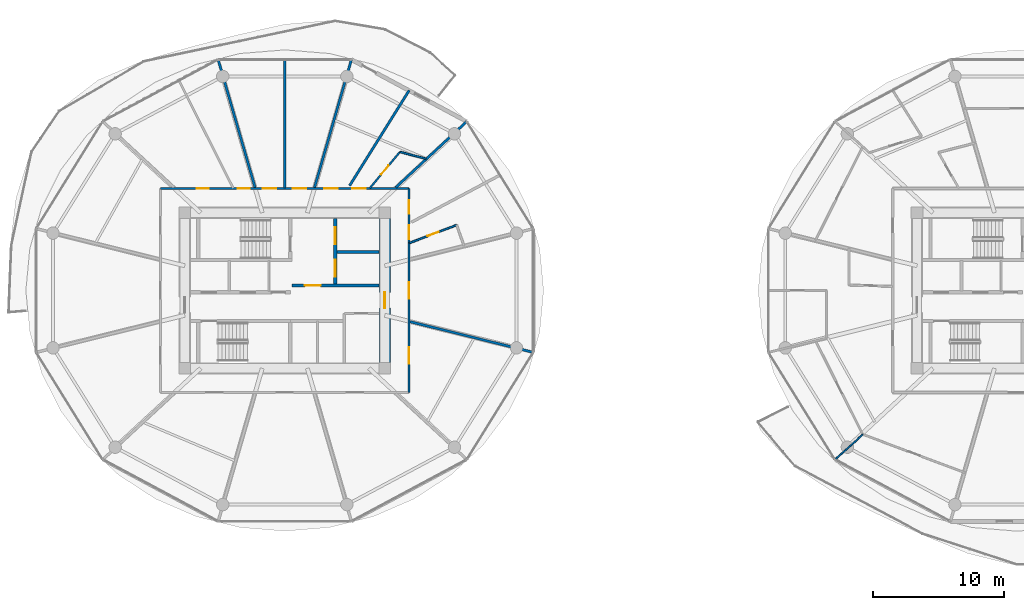
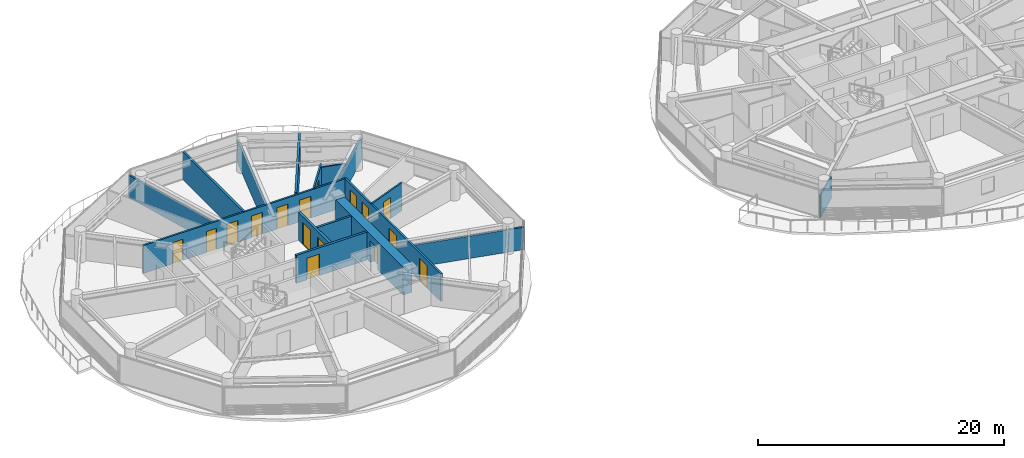
# One storey, part 16 of 25: 16 doors, 16 walls, 16 openings.
"""IFC4 building model written with IfcOpenShell, lengths in metres."""

from ifc_helpers import new_model, si_unit, direction, frame, frame_2d, origin, place, context, subcontext, project, spatial, rectangle, extrude, source, transform, mapped, material, layer, layer_set, type_object, type_shapes, element, fill, save


model = new_model("IFC4")

# Units and contexts
model_context = context("Model", 3, precision=1e-05, world=origin(), true_north=direction((0.0, 1.0)))
body_context = subcontext(model_context, "Body", "Model", "MODEL_VIEW")
ifc_project = project(units=[si_unit("LENGTHUNIT", "METRE"), si_unit("AREAUNIT", "SQUARE_METRE"), si_unit("VOLUMEUNIT", "CUBIC_METRE"), si_unit("PLANEANGLEUNIT", "RADIAN"), si_unit("MASSUNIT", "GRAM", prefix="KILO")], contexts=[model_context])

# Site, building, storey
site_placement = place(None, origin())
site = spatial("IfcSite", under=ifc_project, at=site_placement, CompositionType="ELEMENT")
building_placement = place(site_placement, origin())
building = spatial("IfcBuilding", under=site, at=building_placement, Name="Norrkilde Senior Care Towers", CompositionType="ELEMENT")
storey_placement = place(building_placement, frame((0.0, 0.0, 27.699951171875)))
storey = spatial("IfcBuildingStorey", under=building, at=storey_placement, Name="L07", CompositionType="ELEMENT", Elevation=27.699951171875)

# Wall, opening, door
ifc_material_1 = material(Name="Concrete C60/75", Category="concrete")
ifc_layer_1 = layer(ifc_material_1, 0.85009765625)
ifc_layer_set_1 = layer_set([ifc_layer_1], Name="Concrete C60/75")
wall_type_1 = type_object("IfcWallType", Name="Core Shear Wall Z1 850", PredefinedType="SHEAR", material=ifc_layer_set_1)
shared_shape_1 = source(origin(), body_context, "Body", "SweptSolid", [
    extrude(rectangle(XDim=11.0, YDim=0.85009765625, at=frame_2d((5.5, 0.0))), origin(), (0.0, 0.0, 1.0), 2.7900390625),
])
type_shapes(wall_type_1, [shared_shape_1])
wall_1_placement = place(storey_placement, frame((-20.35009765625, 5.5, 0.0), z_axis=(0.0, 0.0, 1.0), x_axis=(0.0, -1.0, 0.0)))
wall_1 = element("IfcWall", 1, at=wall_1_placement, inside=storey, type_object=wall_type_1, Name="L07 Core W East Shear Wall", PredefinedType="SHEAR", context=body_context, shape_type="MappedRepresentation", body=[
    mapped(shared_shape_1, transform((0.0, 0.0, 0.0), x_axis=(1.0, 0.0, 0.0), y_axis=(0.0, 1.0, 0.0), z_axis=(0.0, 0.0, 1.0), scale=1.0)),
])
opening_1_placement = place(wall_1_placement, frame((5.64990234375, 0.0, 0.0)))
opening_1 = element("IfcOpeningElement", 2, at=opening_1_placement, cuts=wall_1, Name="Opening D-04", PredefinedType="OPENING", context=body_context, shape_type="SweptSolid", body=[
    extrude(rectangle(XDim=1.199951171875, YDim=2.14990234375, at=frame_2d((0.60009765625, 1.074951171875))), frame((0.0, 0.43505859375, 0.0), z_axis=(0.0, -1.0, 0.0), x_axis=(1.0, 0.0, 0.0)), (0.0, 0.0, 1.0), 0.8701171875),
])
ifc_material_2 = material(Name="Galvanised Painted Steel", Category="steel")
door_type_1 = type_object("IfcDoorType", Name="Firefighting Lobby Fire Door 1200x2150", OperationType="NOTDEFINED", PredefinedType="DOOR", material=ifc_material_2)
shared_shape_2 = source(origin(), body_context, "Body", "SweptSolid", [
    extrude(rectangle(XDim=1.199951171875, YDim=2.14990234375, at=frame_2d((0.60009765625, 1.074951171875))), frame((0.0, 0.02490234375, 0.0), z_axis=(0.0, -1.0, 0.0), x_axis=(1.0, 0.0, 0.0)), (0.0, 0.0, 1.0), 0.050048828125),
])
type_shapes(door_type_1, [shared_shape_2])
door_1_placement = place(opening_1_placement, frame((1.199951171875, 0.0, 0.0), z_axis=(0.0, 0.0, 1.0), x_axis=(-1.0, 0.0, 0.0)))
door_1 = element("IfcDoor", 3, at=door_1_placement, inside=storey, type_object=door_type_1, Name="L07 Core W East Portal Door", OperationType="SINGLE_SWING_RIGHT", OverallHeight=2.14990234375, OverallWidth=1.199951171875, PredefinedType="DOOR", context=body_context, shape_type="MappedRepresentation", body=[
    mapped(shared_shape_2, transform((0.0, 0.0, 0.0), x_axis=(1.0, 0.0, 0.0), y_axis=(0.0, 1.0, 0.0), z_axis=(0.0, 0.0, 1.0), scale=1.0)),
])
fill(opening_1, door_1)

# Wall, openings, doors
ifc_material_3 = material(Name="Concrete C45/55", Category="concrete")
ifc_layer_2 = layer(ifc_material_3, 0.239990234375)
ifc_layer_set_2 = layer_set([ifc_layer_2], Name="Concrete C45/55")
wall_type_2 = type_object("IfcWallType", Name="Lift and Plant Rated Enclosure Partition 240", PredefinedType="PARTITIONING", material=ifc_layer_set_2)
shared_shape_3 = source(origin(), body_context, "Body", "SweptSolid", [
    extrude(rectangle(XDim=5.0, YDim=0.239990234375, at=frame_2d((2.5, 0.0))), origin(), (0.0, 0.0, 1.0), 2.775146484375),
])
type_shapes(wall_type_2, [shared_shape_3])
wall_2_placement = place(storey_placement, frame((-24.139892578125, 0.5, 0.0), z_axis=(0.0, 0.0, 1.0), x_axis=(0.0, 1.0, 0.0)))
wall_2 = element("IfcWall", 4, at=wall_2_placement, inside=storey, type_object=wall_type_2, Name="WL-INT-L07-W-FFLE", PredefinedType="PARTITIONING", context=body_context, shape_type="MappedRepresentation", body=[
    mapped(shared_shape_3, transform((0.0, 0.0, 0.0), x_axis=(1.0, 0.0, 0.0), y_axis=(0.0, 1.0, 0.0), z_axis=(0.0, 0.0, 1.0), scale=1.0)),
])
opening_2_placement = place(wall_2_placement, frame((3.050048828125, 0.0, 0.0)))
opening_2 = element("IfcOpeningElement", 5, at=opening_2_placement, cuts=wall_2, Name="Opening LD-02", PredefinedType="OPENING", context=body_context, shape_type="SweptSolid", body=[
    extrude(rectangle(XDim=1.300048828125, YDim=2.199951171875, at=frame_2d((0.64990234375, 1.10009765625))), frame((0.0, 0.1298828125, 0.0), z_axis=(0.0, -1.0, 0.0), x_axis=(1.0, 0.0, 0.0)), (0.0, 0.0, 1.0), 0.260009765625),
])
opening_3_placement = place(wall_2_placement, frame((0.550048828125, 0.0, 0.0)))
opening_3 = element("IfcOpeningElement", 6, at=opening_3_placement, cuts=wall_2, Name="Opening LD-02", PredefinedType="OPENING", context=body_context, shape_type="SweptSolid", body=[
    extrude(rectangle(XDim=1.300048828125, YDim=2.199951171875, at=frame_2d((0.64990234375, 1.10009765625))), frame((0.0, 0.1298828125, 0.0), z_axis=(0.0, -1.0, 0.0), x_axis=(1.0, 0.0, 0.0)), (0.0, 0.0, 1.0), 0.260009765625),
])
ifc_material_4 = material(Name="Stainless Steel", Category="steel")
door_type_2 = type_object("IfcDoorType", Name="Stretcher and FFL Landing Sliding Door 1300x2200", OperationType="NOTDEFINED", PredefinedType="DOOR", material=ifc_material_4)
shared_shape_4 = source(origin(), body_context, "Body", "SweptSolid", [
    extrude(rectangle(XDim=1.300048828125, YDim=2.199951171875, at=frame_2d((0.64990234375, 1.10009765625))), frame((0.0, 0.02490234375, 0.0), z_axis=(0.0, -1.0, 0.0), x_axis=(1.0, 0.0, 0.0)), (0.0, 0.0, 1.0), 0.050048828125),
])
type_shapes(door_type_2, [shared_shape_4])
door_2_placement = place(opening_2_placement, origin())
door_2 = element("IfcDoor", 7, at=door_2_placement, inside=storey, type_object=door_type_2, Name="L07 Firefighting Lift W1 Landing Door", OperationType="SLIDING_TO_LEFT", OverallHeight=2.199951171875, OverallWidth=1.300048828125, PredefinedType="DOOR", context=body_context, shape_type="MappedRepresentation", body=[
    mapped(shared_shape_4, transform((0.0, 0.0, 0.0), x_axis=(1.0, 0.0, 0.0), y_axis=(0.0, 1.0, 0.0), z_axis=(0.0, 0.0, 1.0), scale=1.0)),
])
fill(opening_2, door_2)
door_3_placement = place(opening_3_placement, origin())
door_3 = element("IfcDoor", 8, at=door_3_placement, inside=storey, type_object=door_type_2, Name="L07 Stretcher Lift W1 Landing Door", OperationType="SLIDING_TO_RIGHT", OverallHeight=2.199951171875, OverallWidth=1.300048828125, PredefinedType="DOOR", context=body_context, shape_type="MappedRepresentation", body=[
    mapped(shared_shape_4, transform((0.0, 0.0, 0.0), x_axis=(1.0, 0.0, 0.0), y_axis=(0.0, 1.0, 0.0), z_axis=(0.0, 0.0, 1.0), scale=1.0)),
])
fill(opening_3, door_3)

# Wall
ifc_layer_3 = layer(ifc_material_3, 0.199951171875)
ifc_layer_set_3 = layer_set([ifc_layer_3], Name="Concrete C45/55")
wall_type_3 = type_object("IfcWallType", Name="Shaft Division and Plant Partition 200", PredefinedType="PARTITIONING", material=ifc_layer_set_3)
shared_shape_5 = source(origin(), body_context, "Body", "SweptSolid", [
    extrude(rectangle(XDim=3.199951171875, YDim=0.199951171875, at=frame_2d((1.60009765625, 0.0))), origin(), (0.0, 0.0, 1.0), 2.775146484375),
])
type_shapes(wall_type_3, [shared_shape_5])
wall_3_placement = place(storey_placement, frame((-24.0, 2.949951171875, 0.0), z_axis=(0.0, 0.0, 1.0), x_axis=(1.0, 0.0, 0.0)))
element("IfcWall", 9, at=wall_3_placement, inside=storey, type_object=wall_type_3, Name="WL-INT-L07-W-FFLDIV", PredefinedType="PARTITIONING", context=body_context, shape_type="MappedRepresentation", body=[
    mapped(shared_shape_5, transform((0.0, 0.0, 0.0), x_axis=(1.0, 0.0, 0.0), y_axis=(0.0, 1.0, 0.0), z_axis=(0.0, 0.0, 1.0), scale=1.0)),
])

# Wall, opening, door
ifc_layer_4 = layer(ifc_material_3, 0.2099609375)
ifc_layer_set_4 = layer_set([ifc_layer_4], Name="Concrete C45/55")
wall_type_4 = type_object("IfcWallType", Name="Firefighting Lobby Wall 210", PredefinedType="PARTITIONING", material=ifc_layer_set_4)
shared_shape_6 = source(origin(), body_context, "Body", "SweptSolid", [
    extrude(rectangle(XDim=6.659912109375, YDim=0.2099609375, at=frame_2d((3.330078125, 0.0))), origin(), (0.0, 0.0, 1.0), 2.775146484375),
])
type_shapes(wall_type_4, [shared_shape_6])
wall_4_placement = place(storey_placement, frame((-27.4599609375, 0.389892578125, 0.0), z_axis=(0.0, 0.0, 1.0), x_axis=(1.0, 0.0, 0.0)))
wall_4 = element("IfcWall", 10, at=wall_4_placement, inside=storey, type_object=wall_type_4, Name="WL-INT-L07-W-FFLS", PredefinedType="PARTITIONING", context=body_context, shape_type="MappedRepresentation", body=[
    mapped(shared_shape_6, transform((0.0, 0.0, 0.0), x_axis=(1.0, 0.0, 0.0), y_axis=(0.0, 1.0, 0.0), z_axis=(0.0, 0.0, 1.0), scale=1.0)),
])
opening_4_placement = place(wall_4_placement, frame((1.0, 0.0, 0.0)))
opening_4 = element("IfcOpeningElement", 11, at=opening_4_placement, cuts=wall_4, Name="Opening D-04", PredefinedType="OPENING", context=body_context, shape_type="SweptSolid", body=[
    extrude(rectangle(XDim=1.199951171875, YDim=2.14990234375, at=frame_2d((0.60009765625, 1.074951171875))), frame((0.0, 0.114990234375, 0.0), z_axis=(0.0, -1.0, 0.0), x_axis=(1.0, 0.0, 0.0)), (0.0, 0.0, 1.0), 0.22998046875),
])
door_4_placement = place(opening_4_placement, frame((1.199951171875, 0.0, 0.0), z_axis=(0.0, 0.0, 1.0), x_axis=(-1.0, 0.0, 0.0)))
door_4 = element("IfcDoor", 12, at=door_4_placement, inside=storey, type_object=door_type_1, Name="L07 Firefighting Lobby W Door", OperationType="SINGLE_SWING_LEFT", OverallHeight=2.14990234375, OverallWidth=1.199951171875, PredefinedType="DOOR", context=body_context, shape_type="MappedRepresentation", body=[
    mapped(shared_shape_2, transform((0.0, 0.0, 0.0), x_axis=(1.0, 0.0, 0.0), y_axis=(0.0, 1.0, 0.0), z_axis=(0.0, 0.0, 1.0), scale=1.0)),
])
fill(opening_4, door_4)

# Wall, openings, doors
ifc_material_5 = material(Name="Gypsum Acoustic Board")
ifc_layer_5 = layer(ifc_material_5, 0.1650390625)
ifc_layer_set_5 = layer_set([ifc_layer_5], Name="Gypsum Acoustic Board")
wall_type_5 = type_object("IfcWallType", Name="Corridor Rated Partition 165", PredefinedType="PARTITIONING", material=ifc_layer_set_5)
shared_shape_7 = source(origin(), body_context, "Body", "SweptSolid", [
    extrude(rectangle(XDim=19.0, YDim=0.1650390625, at=frame_2d((9.5, 0.0))), origin(), (0.0, 0.0, 1.0), 2.775146484375),
])
wall_5_placement = place(storey_placement, frame((-37.5, 7.800048828125, 0.0), z_axis=(0.0, 0.0, 1.0), x_axis=(1.0, 0.0, 0.0)))
wall_5 = element("IfcWall", 13, at=wall_5_placement, inside=storey, type_object=wall_type_5, Name="WL-INT-L07-W-CRW-N-0", PredefinedType="PARTITIONING", context=body_context, shape_type="MappedRepresentation", body=[
    mapped(shared_shape_7, transform((0.0, 0.0, 0.0), x_axis=(1.0, 0.0, 0.0), y_axis=(0.0, 1.0, 0.0), z_axis=(0.0, 0.0, 1.0), scale=1.0)),
])
opening_5_placement = place(wall_5_placement, frame((14.6533203125, 0.0, 0.0)))
opening_5 = element("IfcOpeningElement", 14, at=opening_5_placement, cuts=wall_5, Name="Opening D-06", PredefinedType="OPENING", context=body_context, shape_type="SweptSolid", body=[
    extrude(rectangle(XDim=1.050048828125, YDim=2.14990234375, at=frame_2d((0.52490234375, 1.074951171875))), frame((0.0, 0.092529296875, 0.0), z_axis=(0.0, -1.0, 0.0), x_axis=(1.0, 0.0, 0.0)), (0.0, 0.0, 1.0), 0.18505859375),
])
opening_6_placement = place(wall_5_placement, frame((12.499755859375, 0.0, 0.0)))
opening_6 = element("IfcOpeningElement", 15, at=opening_6_placement, cuts=wall_5, Name="Opening D-06", PredefinedType="OPENING", context=body_context, shape_type="SweptSolid", body=[
    extrude(rectangle(XDim=1.050048828125, YDim=2.14990234375, at=frame_2d((0.52490234375, 1.074951171875))), frame((0.0, 0.092529296875, 0.0), z_axis=(0.0, -1.0, 0.0), x_axis=(1.0, 0.0, 0.0)), (0.0, 0.0, 1.0), 0.18505859375),
])
opening_7_placement = place(wall_5_placement, frame((10.103759765625, 0.0, 0.0)))
opening_7 = element("IfcOpeningElement", 16, at=opening_7_placement, cuts=wall_5, Name="Opening D-06", PredefinedType="OPENING", context=body_context, shape_type="SweptSolid", body=[
    extrude(rectangle(XDim=1.050048828125, YDim=2.14990234375, at=frame_2d((0.52490234375, 1.074951171875))), frame((0.0, 0.092529296875, 0.0), z_axis=(0.0, -1.0, 0.0), x_axis=(1.0, 0.0, 0.0)), (0.0, 0.0, 1.0), 0.18505859375),
])
opening_8_placement = place(wall_5_placement, frame((7.806396484375, 0.0, 0.0)))
opening_8 = element("IfcOpeningElement", 17, at=opening_8_placement, cuts=wall_5, Name="Opening D-06", PredefinedType="OPENING", context=body_context, shape_type="SweptSolid", body=[
    extrude(rectangle(XDim=1.050048828125, YDim=2.14990234375, at=frame_2d((0.52490234375, 1.074951171875))), frame((0.0, 0.092529296875, 0.0), z_axis=(0.0, -1.0, 0.0), x_axis=(1.0, 0.0, 0.0)), (0.0, 0.0, 1.0), 0.18505859375),
])
opening_9_placement = place(wall_5_placement, frame((5.915283203125, 0.0, 0.0)))
opening_9 = element("IfcOpeningElement", 18, at=opening_9_placement, cuts=wall_5, Name="Opening D-08", PredefinedType="OPENING", context=body_context, shape_type="SweptSolid", body=[
    extrude(rectangle(XDim=0.919921875, YDim=2.10009765625, at=frame_2d((0.4599609375, 1.050048828125))), frame((0.0, 0.092529296875, 0.0), z_axis=(0.0, -1.0, 0.0), x_axis=(1.0, 0.0, 0.0)), (0.0, 0.0, 1.0), 0.18505859375),
])
opening_10_placement = place(wall_5_placement, frame((2.76904296875, 0.0, 0.0)))
opening_10 = element("IfcOpeningElement", 19, at=opening_10_placement, cuts=wall_5, Name="Opening D-08", PredefinedType="OPENING", context=body_context, shape_type="SweptSolid", body=[
    extrude(rectangle(XDim=0.919921875, YDim=2.10009765625, at=frame_2d((0.4599609375, 1.050048828125))), frame((0.0, 0.092529296875, 0.0), z_axis=(0.0, -1.0, 0.0), x_axis=(1.0, 0.0, 0.0)), (0.0, 0.0, 1.0), 0.18505859375),
])
ifc_material_6 = material(Name="Nordic Ash Timber", Category="wood")
door_type_3 = type_object("IfcDoorType", Name="Accessible Wet Room Door 920x2100", OperationType="NOTDEFINED", PredefinedType="DOOR", material=ifc_material_6)
shared_shape_8 = source(origin(), body_context, "Body", "SweptSolid", [
    extrude(rectangle(XDim=0.919921875, YDim=2.10009765625, at=frame_2d((0.4599609375, 1.050048828125))), frame((0.0, 0.02490234375, 0.0), z_axis=(0.0, -1.0, 0.0), x_axis=(1.0, 0.0, 0.0)), (0.0, 0.0, 1.0), 0.050048828125),
])
type_shapes(door_type_3, [shared_shape_8])
door_5_placement = place(opening_9_placement, frame((0.919921875, 0.0, 0.0), z_axis=(0.0, 0.0, 1.0), x_axis=(-1.0, 0.0, 0.0)))
door_5 = element("IfcDoor", 20, at=door_5_placement, inside=storey, type_object=door_type_3, Name="L07 Accessible Restroom Door", OperationType="SINGLE_SWING_RIGHT", OverallHeight=2.10009765625, OverallWidth=0.919921875, PredefinedType="DOOR", context=body_context, shape_type="MappedRepresentation", body=[
    mapped(shared_shape_8, transform((0.0, 0.0, 0.0), x_axis=(1.0, 0.0, 0.0), y_axis=(0.0, 1.0, 0.0), z_axis=(0.0, 0.0, 1.0), scale=1.0)),
])
fill(opening_9, door_5)
door_6_placement = place(opening_10_placement, frame((0.919921875, 0.0, 0.0), z_axis=(0.0, 0.0, 1.0), x_axis=(-1.0, 0.0, 0.0)))
door_6 = element("IfcDoor", 21, at=door_6_placement, inside=storey, type_object=door_type_3, Name="L07 Public Restroom Door", OperationType="SINGLE_SWING_LEFT", OverallHeight=2.10009765625, OverallWidth=0.919921875, PredefinedType="DOOR", context=body_context, shape_type="MappedRepresentation", body=[
    mapped(shared_shape_8, transform((0.0, 0.0, 0.0), x_axis=(1.0, 0.0, 0.0), y_axis=(0.0, 1.0, 0.0), z_axis=(0.0, 0.0, 1.0), scale=1.0)),
])
fill(opening_10, door_6)
door_type_4 = type_object("IfcDoorType", Name="Apartment Entrance Fire Door 1050x2150", OperationType="NOTDEFINED", PredefinedType="DOOR", material=ifc_material_6)
shared_shape_9 = source(origin(), body_context, "Body", "SweptSolid", [
    extrude(rectangle(XDim=1.050048828125, YDim=2.14990234375, at=frame_2d((0.52490234375, 1.074951171875))), frame((0.0, 0.02490234375, 0.0), z_axis=(0.0, -1.0, 0.0), x_axis=(1.0, 0.0, 0.0)), (0.0, 0.0, 1.0), 0.050048828125),
])
type_shapes(door_type_4, [shared_shape_9])
door_7_placement = place(opening_5_placement, frame((1.050048828125, 0.0, 0.0), z_axis=(0.0, 0.0, 1.0), x_axis=(-1.0, 0.0, 0.0)))
door_7 = element("IfcDoor", 22, at=door_7_placement, inside=storey, type_object=door_type_4, Name="L07 Care Suite 0701A Entrance Door", OperationType="SINGLE_SWING_LEFT", OverallHeight=2.14990234375, OverallWidth=1.050048828125, PredefinedType="DOOR", context=body_context, shape_type="MappedRepresentation", body=[
    mapped(shared_shape_9, transform((0.0, 0.0, 0.0), x_axis=(1.0, 0.0, 0.0), y_axis=(0.0, 1.0, 0.0), z_axis=(0.0, 0.0, 1.0), scale=1.0)),
])
fill(opening_5, door_7)
door_8_placement = place(opening_6_placement, frame((1.050048828125, 0.0, 0.0), z_axis=(0.0, 0.0, 1.0), x_axis=(-1.0, 0.0, 0.0)))
door_8 = element("IfcDoor", 23, at=door_8_placement, inside=storey, type_object=door_type_4, Name="L07 Therapy Day Lounge 01 Door", OperationType="SINGLE_SWING_LEFT", OverallHeight=2.14990234375, OverallWidth=1.050048828125, PredefinedType="DOOR", context=body_context, shape_type="MappedRepresentation", body=[
    mapped(shared_shape_9, transform((0.0, 0.0, 0.0), x_axis=(1.0, 0.0, 0.0), y_axis=(0.0, 1.0, 0.0), z_axis=(0.0, 0.0, 1.0), scale=1.0)),
])
fill(opening_6, door_8)
door_9_placement = place(opening_7_placement, frame((1.050048828125, 0.0, 0.0), z_axis=(0.0, 0.0, 1.0), x_axis=(-1.0, 0.0, 0.0)))
door_9 = element("IfcDoor", 24, at=door_9_placement, inside=storey, type_object=door_type_4, Name="L07 Physiotherapy Clinic 2A Door", OperationType="SINGLE_SWING_LEFT", OverallHeight=2.14990234375, OverallWidth=1.050048828125, PredefinedType="DOOR", context=body_context, shape_type="MappedRepresentation", body=[
    mapped(shared_shape_9, transform((0.0, 0.0, 0.0), x_axis=(1.0, 0.0, 0.0), y_axis=(0.0, 1.0, 0.0), z_axis=(0.0, 0.0, 1.0), scale=1.0)),
])
fill(opening_7, door_9)
door_10_placement = place(opening_8_placement, frame((1.050048828125, 0.0, 0.0), z_axis=(0.0, 0.0, 1.0), x_axis=(-1.0, 0.0, 0.0)))
door_10 = element("IfcDoor", 25, at=door_10_placement, inside=storey, type_object=door_type_4, Name="L07 Assessment Clinic 2B Door", OperationType="SINGLE_SWING_RIGHT", OverallHeight=2.14990234375, OverallWidth=1.050048828125, PredefinedType="DOOR", context=body_context, shape_type="MappedRepresentation", body=[
    mapped(shared_shape_9, transform((0.0, 0.0, 0.0), x_axis=(1.0, 0.0, 0.0), y_axis=(0.0, 1.0, 0.0), z_axis=(0.0, 0.0, 1.0), scale=1.0)),
])
fill(opening_8, door_10)

shared_shape_10 = source(origin(), body_context, "Body", "SweptSolid", [
    extrude(rectangle(XDim=15.60009765625, YDim=0.1650390625, at=frame_2d((7.800048828125, 0.0))), origin(), (0.0, 0.0, 1.0), 2.775146484375),
])
type_shapes(wall_type_5, [shared_shape_7, shared_shape_10])
wall_6_placement = place(storey_placement, frame((-18.5, 7.800048828125, 0.0), z_axis=(0.0, 0.0, 1.0), x_axis=(0.0, -1.0, 0.0)))
wall_6 = element("IfcWall", 26, at=wall_6_placement, inside=storey, type_object=wall_type_5, Name="WL-INT-L07-W-CRW-E-0", PredefinedType="PARTITIONING", context=body_context, shape_type="MappedRepresentation", body=[
    mapped(shared_shape_10, transform((0.0, 0.0, 0.0), x_axis=(1.0, 0.0, 0.0), y_axis=(0.0, 1.0, 0.0), z_axis=(0.0, 0.0, 1.0), scale=1.0)),
])
opening_11_placement = place(wall_6_placement, frame((12.141357421875, 0.0, 0.0)))
opening_11 = element("IfcOpeningElement", 27, at=opening_11_placement, cuts=wall_6, Name="Opening D-05", PredefinedType="OPENING", context=body_context, shape_type="SweptSolid", body=[
    extrude(rectangle(XDim=1.25, YDim=2.199951171875, at=frame_2d((0.625, 1.10009765625))), frame((0.0, 0.092529296875, 0.0), z_axis=(0.0, -1.0, 0.0), x_axis=(1.0, 0.0, 0.0)), (0.0, 0.0, 1.0), 0.18505859375),
])
opening_12_placement = place(wall_6_placement, frame((7.175048828125, 0.0, 0.0)))
opening_12 = element("IfcOpeningElement", 28, at=opening_12_placement, cuts=wall_6, Name="Opening D-05", PredefinedType="OPENING", context=body_context, shape_type="SweptSolid", body=[
    extrude(rectangle(XDim=1.25, YDim=2.199951171875, at=frame_2d((0.625, 1.10009765625))), frame((0.0, 0.092529296875, 0.0), z_axis=(0.0, -1.0, 0.0), x_axis=(1.0, 0.0, 0.0)), (0.0, 0.0, 1.0), 0.18505859375),
])
opening_13_placement = place(wall_6_placement, frame((2.826416015625, 0.0, 0.0)))
opening_13 = element("IfcOpeningElement", 29, at=opening_13_placement, cuts=wall_6, Name="Opening D-06", PredefinedType="OPENING", context=body_context, shape_type="SweptSolid", body=[
    extrude(rectangle(XDim=1.050048828125, YDim=2.14990234375, at=frame_2d((0.52490234375, 1.074951171875))), frame((0.0, 0.092529296875, 0.0), z_axis=(0.0, -1.0, 0.0), x_axis=(1.0, 0.0, 0.0)), (0.0, 0.0, 1.0), 0.18505859375),
])
opening_14_placement = place(wall_6_placement, frame((0.88134765625, 0.0, 0.0)))
opening_14 = element("IfcOpeningElement", 30, at=opening_14_placement, cuts=wall_6, Name="Opening D-06", PredefinedType="OPENING", context=body_context, shape_type="SweptSolid", body=[
    extrude(rectangle(XDim=1.050048828125, YDim=2.14990234375, at=frame_2d((0.52490234375, 1.074951171875))), frame((0.0, 0.092529296875, 0.0), z_axis=(0.0, -1.0, 0.0), x_axis=(1.0, 0.0, 0.0)), (0.0, 0.0, 1.0), 0.18505859375),
])
door_type_5 = type_object("IfcDoorType", Name="Care Bedroom Bariatric Door 1250x2200", OperationType="NOTDEFINED", PredefinedType="DOOR", material=ifc_material_6)
shared_shape_11 = source(origin(), body_context, "Body", "SweptSolid", [
    extrude(rectangle(XDim=1.25, YDim=2.199951171875, at=frame_2d((0.625, 1.10009765625))), frame((0.0, 0.02490234375, 0.0), z_axis=(0.0, -1.0, 0.0), x_axis=(1.0, 0.0, 0.0)), (0.0, 0.0, 1.0), 0.050048828125),
])
type_shapes(door_type_5, [shared_shape_11])
door_11_placement = place(opening_11_placement, frame((1.25, 0.0, 0.0), z_axis=(0.0, 0.0, 1.0), x_axis=(-1.0, 0.0, 0.0)))
door_11 = element("IfcDoor", 31, at=door_11_placement, inside=storey, type_object=door_type_5, Name="L07 Resident Therapeutic Day Lounge Door", OperationType="SINGLE_SWING_LEFT", OverallHeight=2.199951171875, OverallWidth=1.25, PredefinedType="DOOR", context=body_context, shape_type="MappedRepresentation", body=[
    mapped(shared_shape_11, transform((0.0, 0.0, 0.0), x_axis=(1.0, 0.0, 0.0), y_axis=(0.0, 1.0, 0.0), z_axis=(0.0, 0.0, 1.0), scale=1.0)),
])
fill(opening_11, door_11)
door_12_placement = place(opening_12_placement, frame((1.25, 0.0, 0.0), z_axis=(0.0, 0.0, 1.0), x_axis=(-1.0, 0.0, 0.0)))
door_12 = element("IfcDoor", 32, at=door_12_placement, inside=storey, type_object=door_type_5, Name="L07 Care Coordination Charting Office Door", OperationType="SINGLE_SWING_RIGHT", OverallHeight=2.199951171875, OverallWidth=1.25, PredefinedType="DOOR", context=body_context, shape_type="MappedRepresentation", body=[
    mapped(shared_shape_11, transform((0.0, 0.0, 0.0), x_axis=(1.0, 0.0, 0.0), y_axis=(0.0, 1.0, 0.0), z_axis=(0.0, 0.0, 1.0), scale=1.0)),
])
fill(opening_12, door_12)
door_13_placement = place(opening_13_placement, frame((1.050048828125, 0.0, 0.0), z_axis=(0.0, 0.0, 1.0), x_axis=(-1.0, 0.0, 0.0)))
door_13 = element("IfcDoor", 33, at=door_13_placement, inside=storey, type_object=door_type_4, Name="L07 Care Suite 0700A Entrance Door", OperationType="SINGLE_SWING_RIGHT", OverallHeight=2.14990234375, OverallWidth=1.050048828125, PredefinedType="DOOR", context=body_context, shape_type="MappedRepresentation", body=[
    mapped(shared_shape_9, transform((0.0, 0.0, 0.0), x_axis=(1.0, 0.0, 0.0), y_axis=(0.0, 1.0, 0.0), z_axis=(0.0, 0.0, 1.0), scale=1.0)),
])
fill(opening_13, door_13)
door_14_placement = place(opening_14_placement, frame((1.050048828125, 0.0, 0.0), z_axis=(0.0, 0.0, 1.0), x_axis=(-1.0, 0.0, 0.0)))
door_14 = element("IfcDoor", 34, at=door_14_placement, inside=storey, type_object=door_type_4, Name="L07 Therapy Day Lounge 00 Door", OperationType="SINGLE_SWING_RIGHT", OverallHeight=2.14990234375, OverallWidth=1.050048828125, PredefinedType="DOOR", context=body_context, shape_type="MappedRepresentation", body=[
    mapped(shared_shape_9, transform((0.0, 0.0, 0.0), x_axis=(1.0, 0.0, 0.0), y_axis=(0.0, 1.0, 0.0), z_axis=(0.0, 0.0, 1.0), scale=1.0)),
])
fill(opening_14, door_14)

# Walls
ifc_layer_6 = layer(ifc_material_5, 0.18994140625)
ifc_layer_set_6 = layer_set([ifc_layer_6], Name="Gypsum Acoustic Board")
wall_type_6 = type_object("IfcWallType", Name="Unit Demising Acoustic Wall 190", PredefinedType="PARTITIONING", material=ifc_layer_set_6)
shared_shape_12 = source(origin(), body_context, "Body", "SweptSolid", [
    extrude(rectangle(XDim=7.4345703125, YDim=0.18994140625, at=frame_2d((3.71728515625, 0.0))), origin(), (0.0, 0.0, 1.0), 2.22509765625),
])
wall_7_placement = place(storey_placement, frame((-19.51708984375, 7.8798828125, 0.0), z_axis=(0.0, 0.0, 1.0), x_axis=(0.732651956848, 0.680603489652, 0.0)))
element("IfcWall", 35, at=wall_7_placement, inside=storey, type_object=wall_type_6, Name="WL-INT-L07-W-DEM-01-0", PredefinedType="PARTITIONING", context=body_context, shape_type="MappedRepresentation", body=[
    mapped(shared_shape_12, transform((0.0, 0.0, 0.0), x_axis=(1.0, 0.0, 0.0), y_axis=(0.0, 1.0, 0.0), z_axis=(0.0, 0.0, 1.0), scale=1.0)),
])
shared_shape_13 = source(origin(), body_context, "Body", "SweptSolid", [
    extrude(rectangle(XDim=10.196044921875, YDim=0.18994140625, at=frame_2d((5.09814453125, 0.0))), origin(), (0.0, 0.0, 1.0), 2.22509765625),
])
for number, where, z_axis, x_axis, name in (
    (36, (-25.72705078125, 7.8798828125, 0.0), (0.0, 0.0, 1.0), (0.277136420347, 0.960830580549, 0.0), "WL-INT-L07-W-DEM-02-0"),
    (37, (-30.27294921875, 7.8798828125, 0.0), (0.0, 0.0, 1.0), (-0.277136420347, 0.960830580549, 0.0), "WL-INT-L07-W-DEM-03-0"),
):
    element("IfcWall", number, at=place(storey_placement, frame(where, z_axis=z_axis, x_axis=x_axis)), inside=storey, type_object=wall_type_6, Name=name, PredefinedType="PARTITIONING", context=body_context, shape_type="MappedRepresentation", body=[
        mapped(shared_shape_13, transform((0.0, 0.0, 0.0), x_axis=(1.0, 0.0, 0.0), y_axis=(0.0, 1.0, 0.0), z_axis=(0.0, 0.0, 1.0), scale=1.0)),
    ])
shared_shape_14 = source(origin(), body_context, "Body", "SweptSolid", [
    extrude(rectangle(XDim=8.59814453125, YDim=0.18994140625, at=frame_2d((4.299072265625, 0.0))), origin(), (0.0, 0.0, 1.0), 2.775146484375),
])
wall_8_placement = place(storey_placement, frame((-23.04296875, 8.017333984375, 0.0), z_axis=(0.0, 0.0, 1.0), x_axis=(0.530039776395, 0.847972779893, 0.0)))
element("IfcWall", 38, at=wall_8_placement, inside=storey, type_object=wall_type_6, Name="WL-INT-L07-W-CMID-01", PredefinedType="PARTITIONING", context=body_context, shape_type="MappedRepresentation", body=[
    mapped(shared_shape_14, transform((0.0, 0.0, 0.0), x_axis=(1.0, 0.0, 0.0), y_axis=(0.0, 1.0, 0.0), z_axis=(0.0, 0.0, 1.0), scale=1.0)),
])

# Wall, opening, door
ifc_layer_7 = layer(ifc_material_5, 0.139892578125)
ifc_layer_set_7 = layer_set([ifc_layer_7], Name="Gypsum Acoustic Board")
wall_type_7 = type_object("IfcWallType", Name="En-suite Wet Room Wall 140", PredefinedType="PARTITIONING", material=ifc_layer_set_7)
shared_shape_15 = source(origin(), body_context, "Body", "SweptSolid", [
    extrude(rectangle(XDim=3.594482421875, YDim=0.139892578125, at=frame_2d((1.79736328125, 0.0))), origin(), (0.0, 0.0, 1.0), 2.775146484375),
])
wall_9_placement = place(storey_placement, frame((-21.49560546875, 7.830078125, 0.0), z_axis=(0.0, 0.0, 1.0), x_axis=(0.639001147083, 0.769205781326, 0.0)))
wall_9 = element("IfcWall", 39, at=wall_9_placement, inside=storey, type_object=wall_type_7, Name="WL-INT-L07-W-ES-01A", PredefinedType="PARTITIONING", context=body_context, shape_type="MappedRepresentation", body=[
    mapped(shared_shape_15, transform((0.0, 0.0, 0.0), x_axis=(1.0, 0.0, 0.0), y_axis=(0.0, 1.0, 0.0), z_axis=(0.0, 0.0, 1.0), scale=1.0)),
])
opening_15_placement = place(wall_9_placement, frame((1.33740234375, 0.0, 0.0)))
opening_15 = element("IfcOpeningElement", 40, at=opening_15_placement, cuts=wall_9, Name="Opening D-08", PredefinedType="OPENING", context=body_context, shape_type="SweptSolid", body=[
    extrude(rectangle(XDim=0.919921875, YDim=2.10009765625, at=frame_2d((0.4599609375, 1.050048828125))), frame((0.0, 0.079833984375, 0.0), z_axis=(0.0, -1.0, 0.0), x_axis=(1.0, 0.0, 0.0)), (0.0, 0.0, 1.0), 0.159912109375),
])
door_15_placement = place(opening_15_placement, origin())
door_15 = element("IfcDoor", 41, at=door_15_placement, inside=storey, type_object=door_type_3, Name="L07 Care Suite 0701A Bathroom Door", OperationType="SINGLE_SWING_RIGHT", OverallHeight=2.10009765625, OverallWidth=0.919921875, PredefinedType="DOOR", context=body_context, shape_type="MappedRepresentation", body=[
    mapped(shared_shape_8, transform((0.0, 0.0, 0.0), x_axis=(1.0, 0.0, 0.0), y_axis=(0.0, 1.0, 0.0), z_axis=(0.0, 0.0, 1.0), scale=1.0)),
])
fill(opening_15, door_15)

# Walls
shared_shape_16 = source(origin(), body_context, "Body", "SweptSolid", [
    extrude(rectangle(XDim=2.06201171875, YDim=0.139892578125, at=frame_2d((1.031005859375, 0.0))), origin(), (0.0, 0.0, 1.0), 2.4150390625),
])
wall_10_placement = place(storey_placement, frame((-19.19873046875, 10.594970703125, 0.0), z_axis=(0.0, 0.0, 1.0), x_axis=(0.968776253543, -0.247936626121, 0.0)))
element("IfcWall", 42, at=wall_10_placement, inside=storey, type_object=wall_type_7, Name="WL-INT-L07-W-EF-01A", PredefinedType="PARTITIONING", context=body_context, shape_type="MappedRepresentation", body=[
    mapped(shared_shape_16, transform((0.0, 0.0, 0.0), x_axis=(1.0, 0.0, 0.0), y_axis=(0.0, 1.0, 0.0), z_axis=(0.0, 0.0, 1.0), scale=1.0)),
])
shared_shape_17 = source(origin(), body_context, "Body", "SweptSolid", [
    extrude(rectangle(XDim=9.846435546875, YDim=0.18994140625, at=frame_2d((4.92333984375, 0.0))), origin(), (0.0, 0.0, 1.0), 2.775146484375),
])
wall_11_placement = place(storey_placement, frame((-28.0, 7.830078125, 0.0), z_axis=(0.0, 0.0, 1.0), x_axis=(0.0, 1.0, 0.0)))
element("IfcWall", 43, at=wall_11_placement, inside=storey, type_object=wall_type_6, Name="WL-INT-L07-W-MID-02", PredefinedType="PARTITIONING", context=body_context, shape_type="MappedRepresentation", body=[
    mapped(shared_shape_17, transform((0.0, 0.0, 0.0), x_axis=(1.0, 0.0, 0.0), y_axis=(0.0, 1.0, 0.0), z_axis=(0.0, 0.0, 1.0), scale=1.0)),
])
shared_shape_18 = source(origin(), body_context, "Body", "SweptSolid", [
    extrude(rectangle(XDim=9.737060546875, YDim=0.18994140625, at=frame_2d((4.86865234375, 0.0))), origin(), (0.0, 0.0, 1.0), 2.22509765625),
])
type_shapes(wall_type_6, [shared_shape_12, shared_shape_13, shared_shape_14, shared_shape_17, shared_shape_18])
wall_12_placement = place(storey_placement, frame((-18.419921875, -2.384521484375, 0.0), z_axis=(0.0, 0.0, 1.0), x_axis=(0.970392716238, -0.241532557375, 0.0)))
element("IfcWall", 44, at=wall_12_placement, inside=storey, type_object=wall_type_6, Name="WL-INT-L07-W-DEM-11-0", PredefinedType="PARTITIONING", context=body_context, shape_type="MappedRepresentation", body=[
    mapped(shared_shape_18, transform((0.0, 0.0, 0.0), x_axis=(1.0, 0.0, 0.0), y_axis=(0.0, 1.0, 0.0), z_axis=(0.0, 0.0, 1.0), scale=1.0)),
])

# Wall, opening, door
shared_shape_19 = source(origin(), body_context, "Body", "SweptSolid", [
    extrude(rectangle(XDim=3.8740234375, YDim=0.139892578125, at=frame_2d((1.93701171875, 0.0))), origin(), (0.0, 0.0, 1.0), 2.775146484375),
])
type_shapes(wall_type_7, [shared_shape_15, shared_shape_16, shared_shape_19])
wall_13_placement = place(storey_placement, frame((-18.469970703125, 3.631591796875, 0.0), z_axis=(0.0, 0.0, 1.0), x_axis=(0.934461775659, 0.35606346321, 0.0)))
wall_13 = element("IfcWall", 45, at=wall_13_placement, inside=storey, type_object=wall_type_7, Name="WL-INT-L07-W-ES-00A", PredefinedType="PARTITIONING", context=body_context, shape_type="MappedRepresentation", body=[
    mapped(shared_shape_19, transform((0.0, 0.0, 0.0), x_axis=(1.0, 0.0, 0.0), y_axis=(0.0, 1.0, 0.0), z_axis=(0.0, 0.0, 1.0), scale=1.0)),
])
opening_16_placement = place(wall_13_placement, frame((1.47705078125, 0.0, 0.0)))
opening_16 = element("IfcOpeningElement", 46, at=opening_16_placement, cuts=wall_13, Name="Opening D-08", PredefinedType="OPENING", context=body_context, shape_type="SweptSolid", body=[
    extrude(rectangle(XDim=0.919921875, YDim=2.10009765625, at=frame_2d((0.4599609375, 1.050048828125))), frame((0.0, 0.079833984375, 0.0), z_axis=(0.0, -1.0, 0.0), x_axis=(1.0, 0.0, 0.0)), (0.0, 0.0, 1.0), 0.159912109375),
])
door_16_placement = place(opening_16_placement, origin())
door_16 = element("IfcDoor", 47, at=door_16_placement, inside=storey, type_object=door_type_3, Name="L07 Care Suite 0700A Bathroom Door", OperationType="SINGLE_SWING_LEFT", OverallHeight=2.10009765625, OverallWidth=0.919921875, PredefinedType="DOOR", context=body_context, shape_type="MappedRepresentation", body=[
    mapped(shared_shape_8, transform((0.0, 0.0, 0.0), x_axis=(1.0, 0.0, 0.0), y_axis=(0.0, 1.0, 0.0), z_axis=(0.0, 0.0, 1.0), scale=1.0)),
])
fill(opening_16, door_16)

# Wall
ifc_layer_8 = layer(ifc_material_5, 0.114990234375)
ifc_layer_set_8 = layer_set([ifc_layer_8], Name="Gypsum Acoustic Board")
wall_type_8 = type_object("IfcWallType", Name="Internal Room Partition 115", PredefinedType="PARTITIONING", material=ifc_layer_set_8)
shared_shape_20 = source(origin(), body_context, "Body", "SweptSolid", [
    extrude(rectangle(XDim=2.887451171875, YDim=0.114990234375, at=frame_2d((1.44384765625, 0.0))), origin(), (0.0, 0.0, 1.0), 2.22509765625),
])
type_shapes(wall_type_8, [shared_shape_20])
wall_14_placement = place(storey_placement, frame((16.2138671875, -11.005615234375, 0.0), z_axis=(0.0, 0.0, 1.0), x_axis=(-0.742448503307, -0.669903142205, 0.0)))
element("IfcWall", 48, at=wall_14_placement, inside=storey, type_object=wall_type_8, Name="WL-INT-L07-E-UBR-05-2", PredefinedType="PARTITIONING", context=body_context, shape_type="MappedRepresentation", body=[
    mapped(shared_shape_20, transform((0.0, 0.0, 0.0), x_axis=(1.0, 0.0, 0.0), y_axis=(0.0, 1.0, 0.0), z_axis=(0.0, 0.0, 1.0), scale=1.0)),
])

save(model, "model.ifc")
